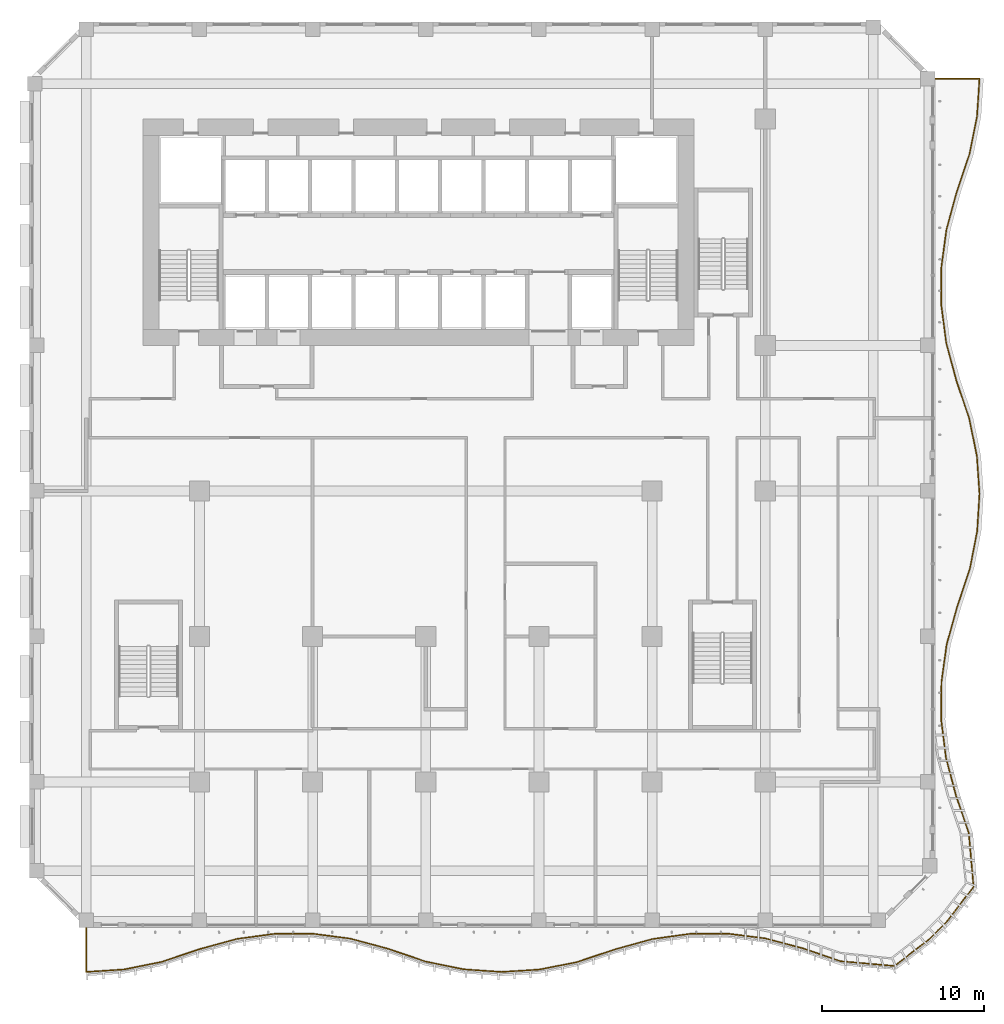
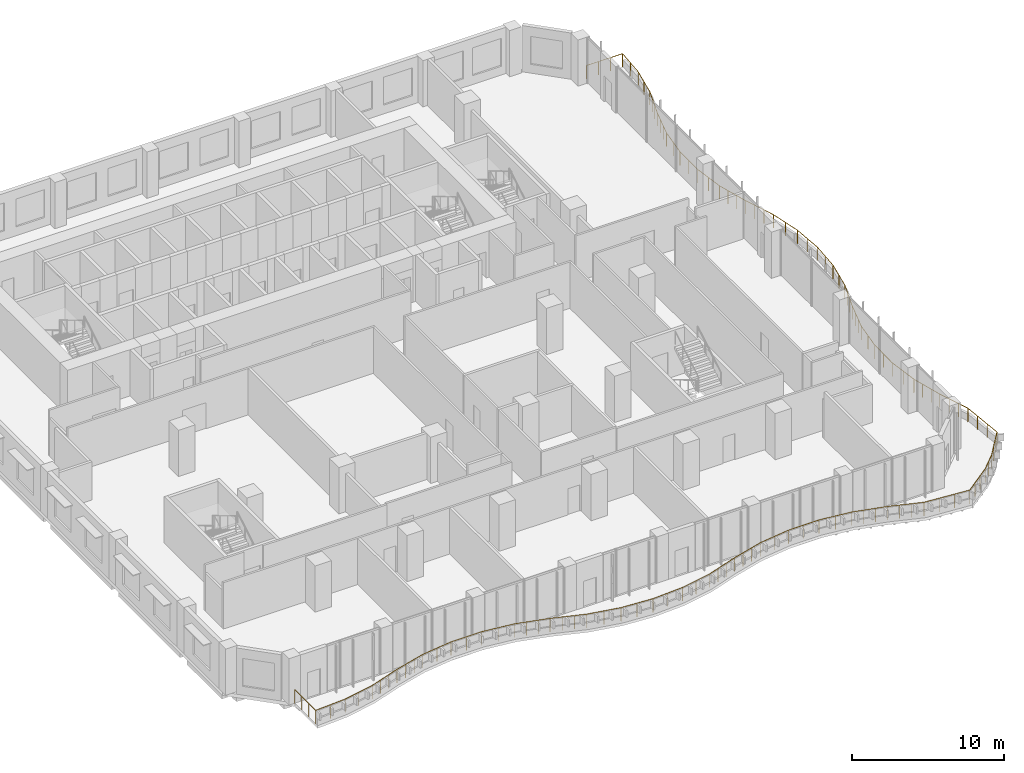
# One storey, part 22 of 26: 1 railing.
"""IFC4 building model written with IfcOpenShell, lengths in metres."""

from ifc_helpers import new_model, si_unit, direction, frame, origin, origin_2d, place, context, subcontext, project, spatial, circle, extrude, material, type_object, element, save


model = new_model("IFC4")

# Units and contexts
model_context = context("Model", 3, precision=1e-05, world=origin(), true_north=direction((0.0, 1.0)))
body_context = subcontext(model_context, "Body", "Model", "MODEL_VIEW")
ifc_project = project(units=[si_unit("LENGTHUNIT", "METRE"), si_unit("AREAUNIT", "SQUARE_METRE"), si_unit("VOLUMEUNIT", "CUBIC_METRE"), si_unit("PLANEANGLEUNIT", "RADIAN"), si_unit("MASSUNIT", "GRAM", prefix="KILO")], contexts=[model_context])

# Site, building, storey
site_placement = place(None, origin())
site = spatial("IfcSite", under=ifc_project, at=site_placement, CompositionType="ELEMENT")
building_placement = place(site_placement, origin())
building = spatial("IfcBuilding", under=site, at=building_placement, Name="Kilnfold Tower and Market Hall", CompositionType="ELEMENT")
storey_placement = place(building_placement, frame((0.0, 0.0, 83.199951171875)))
storey = spatial("IfcBuildingStorey", under=building, at=storey_placement, Name="L19", CompositionType="ELEMENT", Elevation=83.199951171875)

# Railing
ifc_material = material(Name="Stainless steel and laminated glass", Category="steel")
railing_type = type_object("IfcRailingType", Name="GUARD 1100", PredefinedType="GUARDRAIL", material=ifc_material)
railing_placement = place(storey_placement, frame((-19.5, -28.0, 0.0)))
element("IfcRailing", 1, at=railing_placement, inside=storey, type_object=railing_type, Name="Guard balcony L19", PredefinedType="GUARDRAIL", context=body_context, shape_type="SweptSolid", body=[
    extrude(circle(Radius=0.02490234375, at=origin_2d()), frame((0.0, 0.0, 1.0751953125), z_axis=(0.0, -1.0, 0.0), x_axis=(1.0, 0.0, 0.0)), (0.0, 0.0, 1.0), 2.75),
    extrude(circle(Radius=0.02490234375, at=origin_2d()), frame((0.0, -2.75, 1.0751953125), z_axis=(0.997847999073, 0.065569587048, 0.0), x_axis=(-0.065569587048, 0.997847999073, 0.0)), (0.0, 0.0, 1.0), 2.33837890625),
    extrude(circle(Radius=0.02490234375, at=origin_2d()), frame((2.333251953125, -2.5966796875, 1.0751953125), z_axis=(0.980513543113, 0.196451499797, 0.0), x_axis=(-0.196451499797, 0.980513543113, 0.0)), (0.0, 0.0, 1.0), 2.3798828125),
    extrude(circle(Radius=0.02490234375, at=origin_2d()), frame((4.666748046875, -2.129150390625, 1.0751953125), z_axis=(0.947566979947, 0.319557222598, 0.0), x_axis=(-0.319557222598, 0.947566979947, 0.0)), (0.0, 0.0, 1.0), 2.46240234375),
    extrude(circle(Radius=0.02490234375, at=origin_2d()), frame((7.0, -1.34228515625, 1.0751953125), z_axis=(0.964518860934, 0.264013952098, 0.0), x_axis=(-0.264013952098, 0.964518860934, 0.0)), (0.0, 0.0, 1.0), 2.419189453125),
    extrude(circle(Radius=0.02490234375, at=origin_2d()), frame((9.333251953125, -0.70361328125, 1.0751953125), z_axis=(0.991110687467, 0.133039863153, 0.0), x_axis=(-0.133039863153, 0.991110687467, 0.0)), (0.0, 0.0, 1.0), 2.3544921875),
    extrude(circle(Radius=0.02490234375, at=origin_2d()), frame((11.666748046875, -0.390380859375, 1.0751953125), z_axis=(0.999998226339, 0.001883432884, 0.0), x_axis=(-0.001883432884, 0.999998226339, 0.0)), (0.0, 0.0, 1.0), 2.333251953125),
    extrude(circle(Radius=0.02490234375, at=origin_2d()), frame((14.0, -0.385986328125, 1.0751953125), z_axis=(0.991647789279, -0.128975431838, 0.0), x_axis=(0.128975431838, 0.991647789279, 0.0)), (0.0, 0.0, 1.0), 2.352783203125),
    extrude(circle(Radius=0.02490234375, at=origin_2d()), frame((16.333251953125, -0.689453125, 1.0751953125), z_axis=(0.965598198848, -0.260038686319, 0.0), x_axis=(0.260038686319, 0.965598198848, 0.0)), (0.0, 0.0, 1.0), 2.416748046875),
    extrude(circle(Radius=0.02490234375, at=origin_2d()), frame((18.666748046875, -1.31787109375, 1.0751953125), z_axis=(0.94693508606, -0.321424863365, 0.0), x_axis=(0.321424863365, 0.94693508606, 0.0)), (0.0, 0.0, 1.0), 2.464111328125),
    extrude(circle(Radius=0.02490234375, at=origin_2d()), frame((21.0, -2.10986328125, 1.0751953125), z_axis=(0.979691597801, -0.200510282024, 0.0), x_axis=(0.200510282024, 0.979691597801, 0.0)), (0.0, 0.0, 1.0), 2.381591796875),
    extrude(circle(Radius=0.02490234375, at=origin_2d()), frame((23.333251953125, -2.58740234375, 1.0751953125), z_axis=(0.99758116384, -0.069511305202, 0.0), x_axis=(0.069511305202, 0.99758116384, 0.0)), (0.0, 0.0, 1.0), 2.339111328125),
    extrude(circle(Radius=0.02490234375, at=origin_2d()), frame((25.666748046875, -2.75, 1.0751953125), z_axis=(0.998099833602, 0.061617547538, 0.0), x_axis=(-0.061617547538, 0.998099833602, 0.0)), (0.0, 0.0, 1.0), 2.337646484375),
    extrude(circle(Radius=0.02490234375, at=origin_2d()), frame((28.0, -2.60595703125, 1.0751953125), z_axis=(0.981292835756, 0.192521091037, 0.0), x_axis=(-0.192521091037, 0.981292835756, 0.0)), (0.0, 0.0, 1.0), 2.377685546875),
    extrude(circle(Radius=0.02490234375, at=origin_2d()), frame((30.333251953125, -2.148193359375, 1.0751953125), z_axis=(0.9482956499, 0.317388343171, 0.0), x_axis=(-0.317388343171, 0.9482956499, 0.0)), (0.0, 0.0, 1.0), 2.460693359375),
    extrude(circle(Radius=0.02490234375, at=origin_2d()), frame((32.666748046875, -1.3671875, 1.0751953125), z_axis=(0.963406621709, 0.268044177789, 0.0), x_axis=(-0.268044177789, 0.963406621709, 0.0)), (0.0, 0.0, 1.0), 2.421875),
    extrude(circle(Radius=0.02490234375, at=origin_2d()), frame((35.0, -0.718017578125, 1.0751953125), z_axis=(0.990581902319, 0.136921491364, 0.0), x_axis=(-0.136921491364, 0.990581902319, 0.0)), (0.0, 0.0, 1.0), 2.35546875),
    extrude(circle(Radius=0.02490234375, at=origin_2d()), frame((37.333251953125, -0.3955078125, 1.0751953125), z_axis=(0.999982218267, 0.005963484666, 0.0), x_axis=(-0.005963484666, 0.999982218267, 0.0)), (0.0, 0.0, 1.0), 2.33349609375),
    extrude(circle(Radius=0.02490234375, at=origin_2d()), frame((39.666748046875, -0.381591796875, 1.0751953125), z_axis=(0.992157627723, -0.124992966807, 0.0), x_axis=(0.124992966807, 0.992157627723, 0.0)), (0.0, 0.0, 1.0), 2.351806640625),
    extrude(circle(Radius=0.02490234375, at=origin_2d()), frame((42.0, -0.675537109375, 1.0751953125), z_axis=(0.966650012662, -0.256101060172, 0.0), x_axis=(0.256101060172, 0.966650012662, 0.0)), (0.0, 0.0, 1.0), 2.413818359375),
    extrude(circle(Radius=0.02490234375, at=origin_2d()), frame((44.333251953125, -1.293701171875, 1.0751953125), z_axis=(0.946401541537, -0.3229924491, 0.0), x_axis=(0.3229924491, 0.946401541537, 0.0)), (0.0, 0.0, 1.0), 2.465576171875),
    extrude(circle(Radius=0.02490234375, at=origin_2d()), frame((46.666748046875, -2.090087890625, 1.0751953125), z_axis=(0.996172933534, -0.087404156042, 0.0), x_axis=(0.087404156042, 0.996172933534, 0.0)), (0.0, 0.0, 1.0), 3.332275390625),
    extrude(circle(Radius=0.02490234375, at=origin_2d()), frame((49.986328125, -2.38134765625, 1.0751953125), z_axis=(0.793922461341, 0.608019017283, 0.0), x_axis=(-0.608019017283, 0.793922461341, 0.0)), (0.0, 0.0, 1.0), 2.659423828125),
    extrude(circle(Radius=0.02490234375, at=origin_2d()), frame((52.09765625, -0.764404296875, 1.0751953125), z_axis=(0.707106781187, 0.707106781187, 0.0), x_axis=(-0.707106781187, 0.707106781187, 0.0)), (0.0, 0.0, 1.0), 1.650146484375),
    extrude(circle(Radius=0.02490234375, at=origin_2d()), frame((53.264404296875, 0.40234375, 1.0751953125), z_axis=(0.608019017283, 0.793922461341, 0.0), x_axis=(-0.793922461341, 0.608019017283, 0.0)), (0.0, 0.0, 1.0), 2.659423828125),
    extrude(circle(Radius=0.02490234375, at=origin_2d()), frame((54.88134765625, 2.513671875, 1.0751953125), z_axis=(-0.087404156042, 0.996172933534, 0.0), x_axis=(-0.996172933534, -0.087404156042, 0.0)), (0.0, 0.0, 1.0), 3.332275390625),
    extrude(circle(Radius=0.02490234375, at=origin_2d()), frame((54.590087890625, 5.833251953125, 1.0751953125), z_axis=(-0.3229924491, 0.946401541537, 0.0), x_axis=(-0.946401541537, -0.3229924491, 0.0)), (0.0, 0.0, 1.0), 2.465576171875),
    extrude(circle(Radius=0.02490234375, at=origin_2d()), frame((53.793701171875, 8.166748046875, 1.0751953125), z_axis=(-0.256101060172, 0.966650012662, 0.0), x_axis=(-0.966650012662, -0.256101060172, 0.0)), (0.0, 0.0, 1.0), 2.413818359375),
    extrude(circle(Radius=0.02490234375, at=origin_2d()), frame((53.175537109375, 10.5, 1.0751953125), z_axis=(-0.124992966807, 0.992157627723, 0.0), x_axis=(-0.992157627723, -0.124992966807, 0.0)), (0.0, 0.0, 1.0), 2.351806640625),
    extrude(circle(Radius=0.02490234375, at=origin_2d()), frame((52.881591796875, 12.833251953125, 1.0751953125), z_axis=(0.005963484666, 0.999982218267, 0.0), x_axis=(-0.999982218267, 0.005963484666, 0.0)), (0.0, 0.0, 1.0), 2.33349609375),
    extrude(circle(Radius=0.02490234375, at=origin_2d()), frame((52.8955078125, 15.166748046875, 1.0751953125), z_axis=(0.136921491364, 0.990581902319, 0.0), x_axis=(-0.990581902319, 0.136921491364, 0.0)), (0.0, 0.0, 1.0), 2.35546875),
    extrude(circle(Radius=0.02490234375, at=origin_2d()), frame((53.218017578125, 17.5, 1.0751953125), z_axis=(0.268044177789, 0.963406621709, 0.0), x_axis=(-0.963406621709, 0.268044177789, 0.0)), (0.0, 0.0, 1.0), 2.421875),
    extrude(circle(Radius=0.02490234375, at=origin_2d()), frame((53.8671875, 19.833251953125, 1.0751953125), z_axis=(0.317388343171, 0.9482956499, 0.0), x_axis=(-0.9482956499, 0.317388343171, 0.0)), (0.0, 0.0, 1.0), 2.460693359375),
    extrude(circle(Radius=0.02490234375, at=origin_2d()), frame((54.648193359375, 22.166748046875, 1.0751953125), z_axis=(0.192521091037, 0.981292835756, 0.0), x_axis=(-0.981292835756, 0.192521091037, 0.0)), (0.0, 0.0, 1.0), 2.377685546875),
    extrude(circle(Radius=0.02490234375, at=origin_2d()), frame((55.10595703125, 24.5, 1.0751953125), z_axis=(0.061617547538, 0.998099833602, 0.0), x_axis=(-0.998099833602, 0.061617547538, 0.0)), (0.0, 0.0, 1.0), 2.337646484375),
    extrude(circle(Radius=0.02490234375, at=origin_2d()), frame((55.25, 26.833251953125, 1.0751953125), z_axis=(-0.069511305202, 0.99758116384, 0.0), x_axis=(-0.99758116384, -0.069511305202, 0.0)), (0.0, 0.0, 1.0), 2.339111328125),
    extrude(circle(Radius=0.02490234375, at=origin_2d()), frame((55.08740234375, 29.166748046875, 1.0751953125), z_axis=(-0.200510282024, 0.979691597801, 0.0), x_axis=(-0.979691597801, -0.200510282024, 0.0)), (0.0, 0.0, 1.0), 2.381591796875),
    extrude(circle(Radius=0.02490234375, at=origin_2d()), frame((54.60986328125, 31.5, 1.0751953125), z_axis=(-0.321424863365, 0.94693508606, 0.0), x_axis=(-0.94693508606, -0.321424863365, 0.0)), (0.0, 0.0, 1.0), 2.464111328125),
    extrude(circle(Radius=0.02490234375, at=origin_2d()), frame((53.81787109375, 33.833251953125, 1.0751953125), z_axis=(-0.260038686319, 0.965598198848, 0.0), x_axis=(-0.965598198848, -0.260038686319, 0.0)), (0.0, 0.0, 1.0), 2.416748046875),
    extrude(circle(Radius=0.02490234375, at=origin_2d()), frame((53.189453125, 36.166748046875, 1.0751953125), z_axis=(-0.128975431838, 0.991647789279, 0.0), x_axis=(-0.991647789279, -0.128975431838, 0.0)), (0.0, 0.0, 1.0), 2.352783203125),
    extrude(circle(Radius=0.02490234375, at=origin_2d()), frame((52.885986328125, 38.5, 1.0751953125), z_axis=(0.001883432884, 0.999998226339, 0.0), x_axis=(-0.999998226339, 0.001883432884, 0.0)), (0.0, 0.0, 1.0), 2.333251953125),
    extrude(circle(Radius=0.02490234375, at=origin_2d()), frame((52.890380859375, 40.833251953125, 1.0751953125), z_axis=(0.133039863153, 0.991110687467, 0.0), x_axis=(-0.991110687467, 0.133039863153, 0.0)), (0.0, 0.0, 1.0), 2.3544921875),
    extrude(circle(Radius=0.02490234375, at=origin_2d()), frame((53.20361328125, 43.166748046875, 1.0751953125), z_axis=(0.264013952098, 0.964518860934, 0.0), x_axis=(-0.964518860934, 0.264013952098, 0.0)), (0.0, 0.0, 1.0), 2.419189453125),
    extrude(circle(Radius=0.02490234375, at=origin_2d()), frame((53.84228515625, 45.5, 1.0751953125), z_axis=(0.319557222598, 0.947566979947, 0.0), x_axis=(-0.947566979947, 0.319557222598, 0.0)), (0.0, 0.0, 1.0), 2.46240234375),
    extrude(circle(Radius=0.02490234375, at=origin_2d()), frame((54.629150390625, 47.833251953125, 1.0751953125), z_axis=(0.196451499797, 0.980513543113, 0.0), x_axis=(-0.980513543113, 0.196451499797, 0.0)), (0.0, 0.0, 1.0), 2.3798828125),
    extrude(circle(Radius=0.02490234375, at=origin_2d()), frame((55.0966796875, 50.166748046875, 1.0751953125), z_axis=(0.065569587048, 0.997847999073, 0.0), x_axis=(-0.997847999073, 0.065569587048, 0.0)), (0.0, 0.0, 1.0), 2.33837890625),
    extrude(circle(Radius=0.02490234375, at=origin_2d()), frame((55.25, 52.5, 1.0751953125), z_axis=(-1.0, 0.0, 0.0), x_axis=(0.0, -1.0, 0.0)), (0.0, 0.0, 1.0), 2.75),
    extrude(circle(Radius=0.02490234375, at=origin_2d()), origin(), (0.0, 0.0, 1.0), 1.050048828125),
    extrude(circle(Radius=0.02490234375, at=origin_2d()), frame((0.0, -0.916748046875, 0.0)), (0.0, 0.0, 1.0), 1.050048828125),
    extrude(circle(Radius=0.02490234375, at=origin_2d()), frame((0.0, -1.833251953125, 0.0)), (0.0, 0.0, 1.0), 1.050048828125),
    extrude(circle(Radius=0.02490234375, at=origin_2d()), frame((0.0, -2.75, 0.0)), (0.0, 0.0, 1.0), 1.050048828125),
    extrude(circle(Radius=0.02490234375, at=origin_2d()), frame((1.16650390625, -2.67333984375, 0.0)), (0.0, 0.0, 1.0), 1.050048828125),
    extrude(circle(Radius=0.02490234375, at=origin_2d()), frame((2.333251953125, -2.5966796875, 0.0)), (0.0, 0.0, 1.0), 1.050048828125),
    extrude(circle(Radius=0.02490234375, at=origin_2d()), frame((3.5, -2.36279296875, 0.0)), (0.0, 0.0, 1.0), 1.050048828125),
    extrude(circle(Radius=0.02490234375, at=origin_2d()), frame((4.666748046875, -2.129150390625, 0.0)), (0.0, 0.0, 1.0), 1.050048828125),
    extrude(circle(Radius=0.02490234375, at=origin_2d()), frame((5.444580078125, -1.866943359375, 0.0)), (0.0, 0.0, 1.0), 1.050048828125),
    extrude(circle(Radius=0.02490234375, at=origin_2d()), frame((6.22216796875, -1.6044921875, 0.0)), (0.0, 0.0, 1.0), 1.050048828125),
    extrude(circle(Radius=0.02490234375, at=origin_2d()), frame((7.0, -1.34228515625, 0.0)), (0.0, 0.0, 1.0), 1.050048828125),
    extrude(circle(Radius=0.02490234375, at=origin_2d()), frame((7.77783203125, -1.12939453125, 0.0)), (0.0, 0.0, 1.0), 1.050048828125),
    extrude(circle(Radius=0.02490234375, at=origin_2d()), frame((8.555419921875, -0.91650390625, 0.0)), (0.0, 0.0, 1.0), 1.050048828125),
    extrude(circle(Radius=0.02490234375, at=origin_2d()), frame((9.333251953125, -0.70361328125, 0.0)), (0.0, 0.0, 1.0), 1.050048828125),
    extrude(circle(Radius=0.02490234375, at=origin_2d()), frame((10.5, -0.546875, 0.0)), (0.0, 0.0, 1.0), 1.050048828125),
    extrude(circle(Radius=0.02490234375, at=origin_2d()), frame((11.666748046875, -0.390380859375, 0.0)), (0.0, 0.0, 1.0), 1.050048828125),
    extrude(circle(Radius=0.02490234375, at=origin_2d()), frame((12.83349609375, -0.38818359375, 0.0)), (0.0, 0.0, 1.0), 1.050048828125),
    extrude(circle(Radius=0.02490234375, at=origin_2d()), frame((14.0, -0.385986328125, 0.0)), (0.0, 0.0, 1.0), 1.050048828125),
    extrude(circle(Radius=0.02490234375, at=origin_2d()), frame((15.16650390625, -0.53759765625, 0.0)), (0.0, 0.0, 1.0), 1.050048828125),
    extrude(circle(Radius=0.02490234375, at=origin_2d()), frame((16.333251953125, -0.689453125, 0.0)), (0.0, 0.0, 1.0), 1.050048828125),
    extrude(circle(Radius=0.02490234375, at=origin_2d()), frame((17.111083984375, -0.89892578125, 0.0)), (0.0, 0.0, 1.0), 1.050048828125),
    extrude(circle(Radius=0.02490234375, at=origin_2d()), frame((17.888916015625, -1.1083984375, 0.0)), (0.0, 0.0, 1.0), 1.050048828125),
    extrude(circle(Radius=0.02490234375, at=origin_2d()), frame((18.666748046875, -1.31787109375, 0.0)), (0.0, 0.0, 1.0), 1.050048828125),
    extrude(circle(Radius=0.02490234375, at=origin_2d()), frame((19.444580078125, -1.581787109375, 0.0)), (0.0, 0.0, 1.0), 1.050048828125),
    extrude(circle(Radius=0.02490234375, at=origin_2d()), frame((20.22216796875, -1.845947265625, 0.0)), (0.0, 0.0, 1.0), 1.050048828125),
    extrude(circle(Radius=0.02490234375, at=origin_2d()), frame((21.0, -2.10986328125, 0.0)), (0.0, 0.0, 1.0), 1.050048828125),
    extrude(circle(Radius=0.02490234375, at=origin_2d()), frame((22.16650390625, -2.3486328125, 0.0)), (0.0, 0.0, 1.0), 1.050048828125),
    extrude(circle(Radius=0.02490234375, at=origin_2d()), frame((23.333251953125, -2.58740234375, 0.0)), (0.0, 0.0, 1.0), 1.050048828125),
    extrude(circle(Radius=0.02490234375, at=origin_2d()), frame((24.5, -2.668701171875, 0.0)), (0.0, 0.0, 1.0), 1.050048828125),
    extrude(circle(Radius=0.02490234375, at=origin_2d()), frame((25.666748046875, -2.75, 0.0)), (0.0, 0.0, 1.0), 1.050048828125),
    extrude(circle(Radius=0.02490234375, at=origin_2d()), frame((26.83349609375, -2.677978515625, 0.0)), (0.0, 0.0, 1.0), 1.050048828125),
    extrude(circle(Radius=0.02490234375, at=origin_2d()), frame((28.0, -2.60595703125, 0.0)), (0.0, 0.0, 1.0), 1.050048828125),
    extrude(circle(Radius=0.02490234375, at=origin_2d()), frame((29.16650390625, -2.376953125, 0.0)), (0.0, 0.0, 1.0), 1.050048828125),
    extrude(circle(Radius=0.02490234375, at=origin_2d()), frame((30.333251953125, -2.148193359375, 0.0)), (0.0, 0.0, 1.0), 1.050048828125),
    extrude(circle(Radius=0.02490234375, at=origin_2d()), frame((31.111083984375, -1.887939453125, 0.0)), (0.0, 0.0, 1.0), 1.050048828125),
    extrude(circle(Radius=0.02490234375, at=origin_2d()), frame((31.888916015625, -1.62744140625, 0.0)), (0.0, 0.0, 1.0), 1.050048828125),
    extrude(circle(Radius=0.02490234375, at=origin_2d()), frame((32.666748046875, -1.3671875, 0.0)), (0.0, 0.0, 1.0), 1.050048828125),
    extrude(circle(Radius=0.02490234375, at=origin_2d()), frame((33.444580078125, -1.15087890625, 0.0)), (0.0, 0.0, 1.0), 1.050048828125),
    extrude(circle(Radius=0.02490234375, at=origin_2d()), frame((34.22216796875, -0.934326171875, 0.0)), (0.0, 0.0, 1.0), 1.050048828125),
    extrude(circle(Radius=0.02490234375, at=origin_2d()), frame((35.0, -0.718017578125, 0.0)), (0.0, 0.0, 1.0), 1.050048828125),
    extrude(circle(Radius=0.02490234375, at=origin_2d()), frame((36.16650390625, -0.556640625, 0.0)), (0.0, 0.0, 1.0), 1.050048828125),
    extrude(circle(Radius=0.02490234375, at=origin_2d()), frame((37.333251953125, -0.3955078125, 0.0)), (0.0, 0.0, 1.0), 1.050048828125),
    extrude(circle(Radius=0.02490234375, at=origin_2d()), frame((38.5, -0.388671875, 0.0)), (0.0, 0.0, 1.0), 1.050048828125),
    extrude(circle(Radius=0.02490234375, at=origin_2d()), frame((39.666748046875, -0.381591796875, 0.0)), (0.0, 0.0, 1.0), 1.050048828125),
    extrude(circle(Radius=0.02490234375, at=origin_2d()), frame((40.83349609375, -0.528564453125, 0.0)), (0.0, 0.0, 1.0), 1.050048828125),
    extrude(circle(Radius=0.02490234375, at=origin_2d()), frame((42.0, -0.675537109375, 0.0)), (0.0, 0.0, 1.0), 1.050048828125),
    extrude(circle(Radius=0.02490234375, at=origin_2d()), frame((42.77783203125, -0.881591796875, 0.0)), (0.0, 0.0, 1.0), 1.050048828125),
    extrude(circle(Radius=0.02490234375, at=origin_2d()), frame((43.555419921875, -1.087646484375, 0.0)), (0.0, 0.0, 1.0), 1.050048828125),
    extrude(circle(Radius=0.02490234375, at=origin_2d()), frame((44.333251953125, -1.293701171875, 0.0)), (0.0, 0.0, 1.0), 1.050048828125),
    extrude(circle(Radius=0.02490234375, at=origin_2d()), frame((45.111083984375, -1.55908203125, 0.0)), (0.0, 0.0, 1.0), 1.050048828125),
    extrude(circle(Radius=0.02490234375, at=origin_2d()), frame((45.888916015625, -1.82470703125, 0.0)), (0.0, 0.0, 1.0), 1.050048828125),
    extrude(circle(Radius=0.02490234375, at=origin_2d()), frame((46.666748046875, -2.090087890625, 0.0)), (0.0, 0.0, 1.0), 1.050048828125),
    extrude(circle(Radius=0.02490234375, at=origin_2d()), frame((47.773193359375, -2.187255859375, 0.0)), (0.0, 0.0, 1.0), 1.050048828125),
    extrude(circle(Radius=0.02490234375, at=origin_2d()), frame((48.8798828125, -2.2841796875, 0.0)), (0.0, 0.0, 1.0), 1.050048828125),
    extrude(circle(Radius=0.02490234375, at=origin_2d()), frame((49.986328125, -2.38134765625, 0.0)), (0.0, 0.0, 1.0), 1.050048828125),
    extrude(circle(Radius=0.02490234375, at=origin_2d()), frame((50.690185546875, -1.84228515625, 0.0)), (0.0, 0.0, 1.0), 1.050048828125),
    extrude(circle(Radius=0.02490234375, at=origin_2d()), frame((51.393798828125, -1.303466796875, 0.0)), (0.0, 0.0, 1.0), 1.050048828125),
    extrude(circle(Radius=0.02490234375, at=origin_2d()), frame((52.09765625, -0.764404296875, 0.0)), (0.0, 0.0, 1.0), 1.050048828125),
    extrude(circle(Radius=0.02490234375, at=origin_2d()), frame((52.68115234375, -0.18115234375, 0.0)), (0.0, 0.0, 1.0), 1.050048828125),
    extrude(circle(Radius=0.02490234375, at=origin_2d()), frame((53.264404296875, 0.40234375, 0.0)), (0.0, 0.0, 1.0), 1.050048828125),
    extrude(circle(Radius=0.02490234375, at=origin_2d()), frame((53.803466796875, 1.106201171875, 0.0)), (0.0, 0.0, 1.0), 1.050048828125),
    extrude(circle(Radius=0.02490234375, at=origin_2d()), frame((54.34228515625, 1.809814453125, 0.0)), (0.0, 0.0, 1.0), 1.050048828125),
    extrude(circle(Radius=0.02490234375, at=origin_2d()), frame((54.88134765625, 2.513671875, 0.0)), (0.0, 0.0, 1.0), 1.050048828125),
    extrude(circle(Radius=0.02490234375, at=origin_2d()), frame((54.7841796875, 3.6201171875, 0.0)), (0.0, 0.0, 1.0), 1.050048828125),
    extrude(circle(Radius=0.02490234375, at=origin_2d()), frame((54.687255859375, 4.726806640625, 0.0)), (0.0, 0.0, 1.0), 1.050048828125),
    extrude(circle(Radius=0.02490234375, at=origin_2d()), frame((54.590087890625, 5.833251953125, 0.0)), (0.0, 0.0, 1.0), 1.050048828125),
    extrude(circle(Radius=0.02490234375, at=origin_2d()), frame((54.32470703125, 6.611083984375, 0.0)), (0.0, 0.0, 1.0), 1.050048828125),
    extrude(circle(Radius=0.02490234375, at=origin_2d()), frame((54.05908203125, 7.388916015625, 0.0)), (0.0, 0.0, 1.0), 1.050048828125),
    extrude(circle(Radius=0.02490234375, at=origin_2d()), frame((53.793701171875, 8.166748046875, 0.0)), (0.0, 0.0, 1.0), 1.050048828125),
    extrude(circle(Radius=0.02490234375, at=origin_2d()), frame((53.587646484375, 8.944580078125, 0.0)), (0.0, 0.0, 1.0), 1.050048828125),
    extrude(circle(Radius=0.02490234375, at=origin_2d()), frame((53.381591796875, 9.72216796875, 0.0)), (0.0, 0.0, 1.0), 1.050048828125),
    extrude(circle(Radius=0.02490234375, at=origin_2d()), frame((53.175537109375, 10.5, 0.0)), (0.0, 0.0, 1.0), 1.050048828125),
    extrude(circle(Radius=0.02490234375, at=origin_2d()), frame((53.028564453125, 11.66650390625, 0.0)), (0.0, 0.0, 1.0), 1.050048828125),
    extrude(circle(Radius=0.02490234375, at=origin_2d()), frame((52.881591796875, 12.833251953125, 0.0)), (0.0, 0.0, 1.0), 1.050048828125),
    extrude(circle(Radius=0.02490234375, at=origin_2d()), frame((52.888671875, 14.0, 0.0)), (0.0, 0.0, 1.0), 1.050048828125),
    extrude(circle(Radius=0.02490234375, at=origin_2d()), frame((52.8955078125, 15.166748046875, 0.0)), (0.0, 0.0, 1.0), 1.050048828125),
    extrude(circle(Radius=0.02490234375, at=origin_2d()), frame((53.056640625, 16.33349609375, 0.0)), (0.0, 0.0, 1.0), 1.050048828125),
    extrude(circle(Radius=0.02490234375, at=origin_2d()), frame((53.218017578125, 17.5, 0.0)), (0.0, 0.0, 1.0), 1.050048828125),
    extrude(circle(Radius=0.02490234375, at=origin_2d()), frame((53.434326171875, 18.27783203125, 0.0)), (0.0, 0.0, 1.0), 1.050048828125),
    extrude(circle(Radius=0.02490234375, at=origin_2d()), frame((53.65087890625, 19.055419921875, 0.0)), (0.0, 0.0, 1.0), 1.050048828125),
    extrude(circle(Radius=0.02490234375, at=origin_2d()), frame((53.8671875, 19.833251953125, 0.0)), (0.0, 0.0, 1.0), 1.050048828125),
    extrude(circle(Radius=0.02490234375, at=origin_2d()), frame((54.12744140625, 20.611083984375, 0.0)), (0.0, 0.0, 1.0), 1.050048828125),
    extrude(circle(Radius=0.02490234375, at=origin_2d()), frame((54.387939453125, 21.388916015625, 0.0)), (0.0, 0.0, 1.0), 1.050048828125),
    extrude(circle(Radius=0.02490234375, at=origin_2d()), frame((54.648193359375, 22.166748046875, 0.0)), (0.0, 0.0, 1.0), 1.050048828125),
    extrude(circle(Radius=0.02490234375, at=origin_2d()), frame((54.876953125, 23.33349609375, 0.0)), (0.0, 0.0, 1.0), 1.050048828125),
    extrude(circle(Radius=0.02490234375, at=origin_2d()), frame((55.10595703125, 24.5, 0.0)), (0.0, 0.0, 1.0), 1.050048828125),
    extrude(circle(Radius=0.02490234375, at=origin_2d()), frame((55.177978515625, 25.66650390625, 0.0)), (0.0, 0.0, 1.0), 1.050048828125),
    extrude(circle(Radius=0.02490234375, at=origin_2d()), frame((55.25, 26.833251953125, 0.0)), (0.0, 0.0, 1.0), 1.050048828125),
    extrude(circle(Radius=0.02490234375, at=origin_2d()), frame((55.168701171875, 28.0, 0.0)), (0.0, 0.0, 1.0), 1.050048828125),
    extrude(circle(Radius=0.02490234375, at=origin_2d()), frame((55.08740234375, 29.166748046875, 0.0)), (0.0, 0.0, 1.0), 1.050048828125),
    extrude(circle(Radius=0.02490234375, at=origin_2d()), frame((54.8486328125, 30.33349609375, 0.0)), (0.0, 0.0, 1.0), 1.050048828125),
    extrude(circle(Radius=0.02490234375, at=origin_2d()), frame((54.60986328125, 31.5, 0.0)), (0.0, 0.0, 1.0), 1.050048828125),
    extrude(circle(Radius=0.02490234375, at=origin_2d()), frame((54.345947265625, 32.27783203125, 0.0)), (0.0, 0.0, 1.0), 1.050048828125),
    extrude(circle(Radius=0.02490234375, at=origin_2d()), frame((54.081787109375, 33.055419921875, 0.0)), (0.0, 0.0, 1.0), 1.050048828125),
    extrude(circle(Radius=0.02490234375, at=origin_2d()), frame((53.81787109375, 33.833251953125, 0.0)), (0.0, 0.0, 1.0), 1.050048828125),
    extrude(circle(Radius=0.02490234375, at=origin_2d()), frame((53.6083984375, 34.611083984375, 0.0)), (0.0, 0.0, 1.0), 1.050048828125),
    extrude(circle(Radius=0.02490234375, at=origin_2d()), frame((53.39892578125, 35.388916015625, 0.0)), (0.0, 0.0, 1.0), 1.050048828125),
    extrude(circle(Radius=0.02490234375, at=origin_2d()), frame((53.189453125, 36.166748046875, 0.0)), (0.0, 0.0, 1.0), 1.050048828125),
    extrude(circle(Radius=0.02490234375, at=origin_2d()), frame((53.03759765625, 37.33349609375, 0.0)), (0.0, 0.0, 1.0), 1.050048828125),
    extrude(circle(Radius=0.02490234375, at=origin_2d()), frame((52.885986328125, 38.5, 0.0)), (0.0, 0.0, 1.0), 1.050048828125),
    extrude(circle(Radius=0.02490234375, at=origin_2d()), frame((52.88818359375, 39.66650390625, 0.0)), (0.0, 0.0, 1.0), 1.050048828125),
    extrude(circle(Radius=0.02490234375, at=origin_2d()), frame((52.890380859375, 40.833251953125, 0.0)), (0.0, 0.0, 1.0), 1.050048828125),
    extrude(circle(Radius=0.02490234375, at=origin_2d()), frame((53.046875, 42.0, 0.0)), (0.0, 0.0, 1.0), 1.050048828125),
    extrude(circle(Radius=0.02490234375, at=origin_2d()), frame((53.20361328125, 43.166748046875, 0.0)), (0.0, 0.0, 1.0), 1.050048828125),
    extrude(circle(Radius=0.02490234375, at=origin_2d()), frame((53.41650390625, 43.944580078125, 0.0)), (0.0, 0.0, 1.0), 1.050048828125),
    extrude(circle(Radius=0.02490234375, at=origin_2d()), frame((53.62939453125, 44.72216796875, 0.0)), (0.0, 0.0, 1.0), 1.050048828125),
    extrude(circle(Radius=0.02490234375, at=origin_2d()), frame((53.84228515625, 45.5, 0.0)), (0.0, 0.0, 1.0), 1.050048828125),
    extrude(circle(Radius=0.02490234375, at=origin_2d()), frame((54.1044921875, 46.27783203125, 0.0)), (0.0, 0.0, 1.0), 1.050048828125),
    extrude(circle(Radius=0.02490234375, at=origin_2d()), frame((54.366943359375, 47.055419921875, 0.0)), (0.0, 0.0, 1.0), 1.050048828125),
    extrude(circle(Radius=0.02490234375, at=origin_2d()), frame((54.629150390625, 47.833251953125, 0.0)), (0.0, 0.0, 1.0), 1.050048828125),
    extrude(circle(Radius=0.02490234375, at=origin_2d()), frame((54.86279296875, 49.0, 0.0)), (0.0, 0.0, 1.0), 1.050048828125),
    extrude(circle(Radius=0.02490234375, at=origin_2d()), frame((55.0966796875, 50.166748046875, 0.0)), (0.0, 0.0, 1.0), 1.050048828125),
    extrude(circle(Radius=0.02490234375, at=origin_2d()), frame((55.17333984375, 51.33349609375, 0.0)), (0.0, 0.0, 1.0), 1.050048828125),
    extrude(circle(Radius=0.02490234375, at=origin_2d()), frame((55.25, 52.5, 0.0)), (0.0, 0.0, 1.0), 1.050048828125),
    extrude(circle(Radius=0.02490234375, at=origin_2d()), frame((54.333251953125, 52.5, 0.0)), (0.0, 0.0, 1.0), 1.050048828125),
    extrude(circle(Radius=0.02490234375, at=origin_2d()), frame((53.416748046875, 52.5, 0.0)), (0.0, 0.0, 1.0), 1.050048828125),
    extrude(circle(Radius=0.02490234375, at=origin_2d()), frame((52.5, 52.5, 0.0)), (0.0, 0.0, 1.0), 1.050048828125),
])

save(model, "model.ifc")
